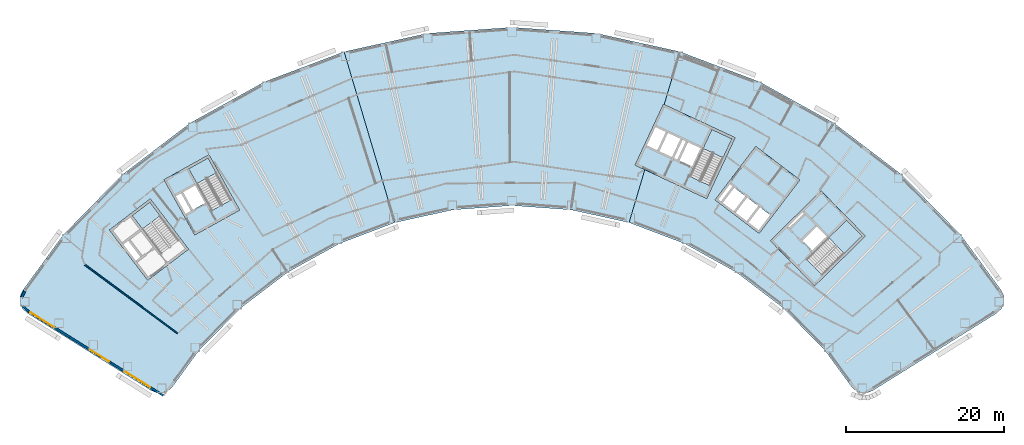
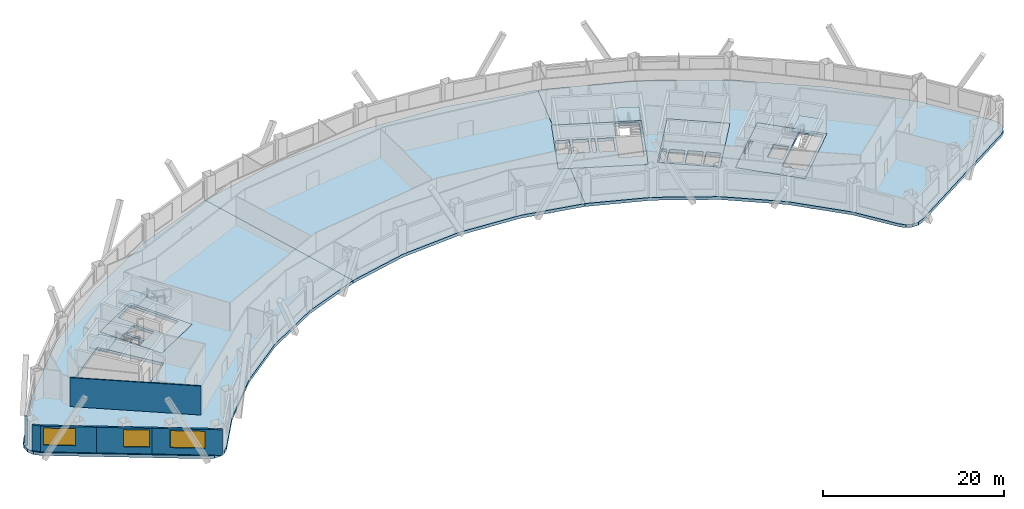
# One storey, part 2 of 11: 11 slabs, 6 walls, 3 windows, 3 openings, 4 elements without a shape of their own.
"""IFC4 building model written with IfcOpenShell, lengths in metres."""

from ifc_helpers import new_model, si_unit, direction, frame, frame_2d, origin, place, context, subcontext, project, spatial, polyline, rectangle, outline, extrude, material, layer, layer_set, type_object, element, fill, aggregate, save


model = new_model("IFC4")

# Units and contexts
model_context = context("Model", 3, precision=1e-05, world=origin(), true_north=direction((0.0, 1.0)))
body_context = subcontext(model_context, "Body", "Model", "MODEL_VIEW")
ifc_project = project(units=[si_unit("LENGTHUNIT", "METRE"), si_unit("AREAUNIT", "SQUARE_METRE"), si_unit("VOLUMEUNIT", "CUBIC_METRE"), si_unit("PLANEANGLEUNIT", "RADIAN"), si_unit("MASSUNIT", "GRAM", prefix="KILO")], contexts=[model_context])

# Site, building, storey
site_placement = place(None, origin())
site = spatial("IfcSite", under=ifc_project, at=site_placement, CompositionType="ELEMENT")
building_placement = place(site_placement, origin())
building = spatial("IfcBuilding", under=site, at=building_placement, Name="Tuul Gate Civic Tower", CompositionType="ELEMENT")
storey_placement = place(building_placement, frame((0.0, 0.0, 99.300048828125)))
storey = spatial("IfcBuildingStorey", under=building, at=storey_placement, Name="Level 22", CompositionType="ELEMENT", Elevation=99.300048828125)

# Slabs
ifc_material_1 = material(Name="Concrete C40/50", Category="concrete")
ifc_layer_1 = layer(ifc_material_1, 0.39990234375)
ifc_layer_set_1 = layer_set([ifc_layer_1], Name="Concrete C40/50")
slab_type_1 = type_object("IfcSlabType", Name="Core floor slab 400", PredefinedType="FLOOR", material=ifc_layer_set_1)
slab_1_placement = place(storey_placement, frame((0.0, 0.0, -0.400146484375)))
element("IfcSlab", 1, at=slab_1_placement, inside=storey, type_object=slab_type_1, Name="FLOOR SLAB", PredefinedType="FLOOR", context=body_context, shape_type="SweptSolid", body=[
    extrude(outline(polyline([(-24.638916015625, -8.846923828125), (-28.51708984375, -1.849853515625), (-34.2021484375, -5.0009765625), (-30.32421875, -11.998046875), (-24.638916015625, -8.846923828125)]), holes=[polyline([(-29.0185546875, -7.958740234375), (-30.254638671875, -5.728515625), (-31.785400390625, -6.576904296875), (-30.54931640625, -8.80712890625), (-29.0185546875, -7.958740234375)]), polyline([(-30.8115234375, -8.95263671875), (-32.047607421875, -6.72216796875), (-32.8349609375, -7.158447265625), (-31.5986328125, -9.388916015625), (-30.8115234375, -8.95263671875)]), polyline([(-25.702392578125, -7.548828125), (-28.14990234375, -8.905517578125), (-31.08203125, -3.615234375), (-28.63427734375, -2.2587890625), (-25.702392578125, -7.548828125)])]), origin(), (0.0, 0.0, 1.0), 0.400146484375),
])
slab_2_placement = place(storey_placement, frame((0.0, 0.0, -0.400146484375)))
element("IfcSlab", 2, at=slab_2_placement, inside=storey, type_object=slab_type_1, Name="FLOOR SLAB", PredefinedType="FLOOR", context=body_context, shape_type="SweptSolid", body=[
    extrude(outline(polyline([(48.117919921875, -18.43310546875), (54.545166015625, -12.1328125), (48.945068359375, -6.419921875), (42.517822265625, -12.719970703125), (48.117919921875, -18.43310546875)]), holes=[polyline([(47.808837890625, -13.974853515625), (49.6298828125, -12.18994140625), (48.40478515625, -10.940185546875), (46.583984375, -12.72509765625), (47.808837890625, -13.974853515625)]), polyline([(44.93896484375, -11.046875), (46.760009765625, -9.261962890625), (46.514892578125, -9.011962890625), (44.69384765625, -10.797119140625), (44.93896484375, -11.046875)]), polyline([(49.086181640625, -17.062744140625), (47.12744140625, -15.064208984375), (52.160888671875, -10.130126953125), (54.11962890625, -12.128662109375), (49.086181640625, -17.062744140625)])]), origin(), (0.0, 0.0, 1.0), 0.400146484375),
])
slab_3_placement = place(storey_placement, frame((0.0, 0.0, -0.400146484375)))
element("IfcSlab", 3, at=slab_3_placement, inside=storey, type_object=slab_type_1, Name="FLOOR SLAB", PredefinedType="FLOOR", context=body_context, shape_type="SweptSolid", body=[
    extrude(outline(polyline([(34.465087890625, -7.385986328125), (38.056884765625, 0.31787109375), (28.993896484375, 4.543701171875), (25.40185546875, -3.159912109375), (34.465087890625, -7.385986328125)]), holes=[polyline([(32.60888671875, -3.32080078125), (33.6865234375, -1.009765625), (32.1005859375, -0.27001953125), (31.02294921875, -2.581298828125), (32.60888671875, -3.32080078125)]), polyline([(30.0712890625, -2.137451171875), (31.14892578125, 0.173583984375), (29.562744140625, 0.9130859375), (28.4853515625, -1.39794921875), (30.0712890625, -2.137451171875)]), polyline([(30.751220703125, -2.454345703125), (31.82861328125, -0.143310546875), (31.4208984375, 0.046875), (30.34326171875, -2.264404296875), (30.751220703125, -2.454345703125)]), polyline([(28.21337890625, -1.27099609375), (29.291015625, 1.0400390625), (27.8408203125, 1.71630859375), (26.76318359375, -0.594970703125), (28.21337890625, -1.27099609375)]), polyline([(34.889892578125, -5.7626953125), (32.353759765625, -4.580078125), (35.120849609375, 1.354736328125), (37.6572265625, 0.17236328125), (34.889892578125, -5.7626953125)])]), origin(), (0.0, 0.0, 1.0), 0.400146484375),
])
ifc_material_2 = material(Name="Concrete C40/50", Category="concrete")
ifc_layer_2 = layer(ifc_material_2, 0.39990234375)
ifc_layer_set_2 = layer_set([ifc_layer_2], Name="Concrete C40/50")
slab_type_2 = type_object("IfcSlabType", Name="Core floor slab 400 non-bearing", PredefinedType="FLOOR", material=ifc_layer_set_2)
slab_4_placement = place(storey_placement, frame((0.0, 0.0, -0.400146484375)))
element("IfcSlab", 4, at=slab_4_placement, inside=storey, type_object=slab_type_2, Name="FLOOR SLAB", PredefinedType="FLOOR", context=body_context, shape_type="SweptSolid", body=[
    extrude(outline(polyline([(41.10107421875, -11.797119140625), (46.25, -5.033935546875), (40.680908203125, -0.79296875), (35.531982421875, -7.555908203125), (41.10107421875, -11.797119140625)]), holes=[polyline([(41.044189453125, -11.37646484375), (42.497802734375, -9.467041015625), (41.22509765625, -8.49755859375), (39.77099609375, -10.4072265625), (41.044189453125, -11.37646484375)]), polyline([(39.532470703125, -10.225341796875), (40.986328125, -8.31591796875), (39.593994140625, -7.255615234375), (38.14013671875, -9.165283203125), (39.532470703125, -10.225341796875)]), polyline([(37.901611328125, -8.9833984375), (39.35546875, -7.073974609375), (37.963134765625, -6.013671875), (36.50927734375, -7.923095703125), (37.901611328125, -8.9833984375)]), polyline([(36.1796875, -7.860595703125), (37.724609375, -5.831787109375), (37.286865234375, -5.49853515625), (35.7421875, -7.527587890625), (36.1796875, -7.860595703125)])]), origin(), (0.0, 0.0, 1.0), 0.400146484375),
])

# Stair, slab
ifc_material_3 = material(Name="Concrete C40/50", Category="concrete")
stair_type = type_object("IfcStairType", Name="Exit stair", PredefinedType="HALF_TURN_STAIR", material=ifc_material_3)
stair_1_placement = place(storey_placement, origin())
stair_1 = element("IfcStair", 5, at=stair_1_placement, inside=storey, type_object=stair_type, Name="Level 22 ST-1", PredefinedType="HALF_TURN_STAIR")
ifc_material_4 = material(Name="Concrete C40/50", Category="concrete")
ifc_layer_3 = layer(ifc_material_4, 0.199951171875)
ifc_layer_set_3 = layer_set([ifc_layer_3], Name="Concrete C40/50")
slab_type_3 = type_object("IfcSlabType", Name="Exit stair landing", PredefinedType="LANDING", material=ifc_layer_set_3)
slab_5_placement = place(storey_placement, frame((0.0, 0.0, 1.89990234375)))
slab_5 = element("IfcSlab", 6, at=slab_5_placement, type_object=slab_type_3, Name="ST-1 landing 1", PredefinedType="LANDING", context=body_context, shape_type="SweptSolid", body=[
    extrude(outline(polyline([(-34.699462890625, -9.554931640625), (-36.9287109375, -11.252197265625), (-38.23193359375, -9.540283203125), (-36.0029296875, -7.843017578125), (-34.699462890625, -9.554931640625)])), origin(), (0.0, 0.0, 1.0), 0.199951171875),
])
aggregate(stair_1, [slab_5])

stair_2_placement = place(storey_placement, origin())
stair_2 = element("IfcStair", 7, at=stair_2_placement, inside=storey, type_object=stair_type, Name="Level 22 ST-2", PredefinedType="HALF_TURN_STAIR")
slab_6_placement = place(storey_placement, frame((0.0, 0.0, 1.89990234375)))
slab_6 = element("IfcSlab", 8, at=slab_6_placement, type_object=slab_type_3, Name="ST-2 landing 1", PredefinedType="LANDING", context=body_context, shape_type="SweptSolid", body=[
    extrude(outline(polyline([(-27.5908203125, -4.138427734375), (-30.041015625, -5.49658203125), (-31.084228515625, -3.61474609375), (-28.6337890625, -2.256591796875), (-27.5908203125, -4.138427734375)])), origin(), (0.0, 0.0, 1.0), 0.199951171875),
])
aggregate(stair_2, [slab_6])

stair_3_placement = place(storey_placement, origin())
stair_3 = element("IfcStair", 9, at=stair_3_placement, inside=storey, type_object=stair_type, Name="Level 22 ST-3", PredefinedType="HALF_TURN_STAIR")
slab_7_placement = place(storey_placement, frame((0.0, 0.0, 1.89990234375)))
slab_7 = element("IfcSlab", 10, at=slab_7_placement, type_object=slab_type_3, Name="ST-3 landing 1", PredefinedType="LANDING", context=body_context, shape_type="SweptSolid", body=[
    extrude(outline(polyline([(51.871337890625, -14.3349609375), (49.91015625, -12.334228515625), (52.160888671875, -10.1279296875), (54.1220703125, -12.128662109375), (51.871337890625, -14.3349609375)])), origin(), (0.0, 0.0, 1.0), 0.199951171875),
])
aggregate(stair_3, [slab_7])

stair_4_placement = place(storey_placement, origin())
stair_4 = element("IfcStair", 11, at=stair_4_placement, inside=storey, type_object=stair_type, Name="Level 22 ST-4", PredefinedType="HALF_TURN_STAIR")
slab_8_placement = place(storey_placement, frame((0.0, 0.0, 1.89990234375)))
slab_8 = element("IfcSlab", 12, at=slab_8_placement, type_object=slab_type_3, Name="ST-4 landing 1", PredefinedType="LANDING", context=body_context, shape_type="SweptSolid", body=[
    extrude(outline(polyline([(36.538818359375, -2.230224609375), (33.999755859375, -1.046142578125), (35.1201171875, 1.35693359375), (37.659423828125, 0.173095703125), (36.538818359375, -2.230224609375)])), origin(), (0.0, 0.0, 1.0), 0.199951171875),
])
aggregate(stair_4, [slab_8])

# Slabs
ifc_material_5 = material(Name="Concrete C35/45", Category="concrete")
ifc_layer_4 = layer(ifc_material_5, 0.39990234375)
ifc_layer_set_4 = layer_set([ifc_layer_4], Name="Concrete C35/45")
slab_type_4 = type_object("IfcSlabType", Name="STR-FLOOR-SLAB-400", PredefinedType="FLOOR", material=ifc_layer_set_4)
slab_9_placement = place(storey_placement, frame((0.0, 0.0, -0.400146484375)))
element("IfcSlab", 13, at=slab_9_placement, inside=storey, type_object=slab_type_4, Name="Level 22/slab/W", PredefinedType="FLOOR", context=body_context, shape_type="SweptSolid", body=[
    extrude(outline(polyline([(-12.0048828125, -13.0830078125), (-4.985107421875, -10.427978515625), (-11.4189453125, 11.194091796875), (-21.488037109375, 7.385986328125), (-30.902099609375, 2.1669921875), (-39.467041015625, -4.35302734375), (-47.001953125, -12.0400390625), (-52.0830078125, -18.9970703125), (-52.4189453125, -19.739990234375), (-52.430908203125, -20.555908203125), (-52.116943359375, -21.30810546875), (-51.527099609375, -21.8720703125), (-35.797119140625, -31.701904296875), (-35.10302734375, -31.971923828125), (-34.35791015625, -31.968994140625), (-33.666015625, -31.694091796875), (-33.1220703125, -31.18505859375), (-29.79296875, -26.626953125), (-24.5400390625, -21.26806640625), (-18.569091796875, -16.720947265625), (-12.0048828125, -13.0830078125)]), holes=[polyline([(-31.10009765625, -13.7890625), (-36.27197265625, -17.72705078125), (-41.117919921875, -11.362060546875), (-35.946044921875, -7.424072265625), (-31.10009765625, -13.7890625)]), polyline([(-24.638916015625, -8.846923828125), (-30.323974609375, -11.998046875), (-34.201904296875, -5.0009765625), (-28.51708984375, -1.85009765625), (-24.638916015625, -8.846923828125)])]), origin(), (0.0, 0.0, 1.0), 0.400146484375),
])
slab_10_placement = place(storey_placement, frame((0.0, 0.0, -0.400146484375)))
element("IfcSlab", 14, at=slab_10_placement, inside=storey, type_object=slab_type_4, Name="Level 22/slab/M", PredefinedType="FLOOR", context=body_context, shape_type="SweptSolid", body=[
    extrude(outline(polyline([(24.64306640625, -10.427978515625), (26.635009765625, -3.735107421875), (25.402099609375, -3.159912109375), (28.993896484375, 4.5439453125), (29.0859375, 4.5009765625), (31.076904296875, 11.194091796875), (20.56494140625, 13.510009765625), (9.8291015625, 14.2880859375), (-0.906982421875, 13.510009765625), (-11.4189453125, 11.194091796875), (-4.985107421875, -10.427978515625), (2.343994140625, -8.81298828125), (9.8291015625, -8.27099609375), (17.31396484375, -8.81298828125), (24.64306640625, -10.427978515625)])), origin(), (0.0, 0.0, 1.0), 0.400146484375),
])
slab_11_placement = place(storey_placement, frame((0.0, 0.0, -0.400146484375)))
element("IfcSlab", 15, at=slab_11_placement, inside=storey, type_object=slab_type_4, Name="Level 22/slab/E", PredefinedType="FLOOR", context=body_context, shape_type="SweptSolid", body=[
    extrude(outline(polyline([(54.760986328125, -31.971923828125), (55.455078125, -31.701904296875), (71.18505859375, -21.8720703125), (71.77392578125, -21.30810546875), (72.089111328125, -20.555908203125), (72.076904296875, -19.739990234375), (71.739990234375, -18.9970703125), (66.659912109375, -12.0400390625), (59.1240234375, -4.35302734375), (50.56005859375, 2.1669921875), (41.14501953125, 7.385986328125), (31.076904296875, 11.194091796875), (29.0859375, 4.5009765625), (38.056884765625, 0.318115234375), (34.465087890625, -7.385986328125), (26.635009765625, -3.735107421875), (24.64306640625, -10.427978515625), (31.6630859375, -13.0830078125), (38.22607421875, -16.720947265625), (44.197021484375, -21.26806640625), (49.450927734375, -26.626953125), (52.780029296875, -31.18505859375), (53.323974609375, -31.694091796875), (54.01611328125, -31.968994140625), (54.760986328125, -31.971923828125)]), holes=[polyline([(48.117919921875, -18.43310546875), (42.51806640625, -12.719970703125), (48.945068359375, -6.419921875), (54.544921875, -12.133056640625), (48.117919921875, -18.43310546875)]), polyline([(35.531982421875, -7.555908203125), (40.680908203125, -0.79296875), (46.25, -5.033935546875), (41.10107421875, -11.797119140625), (35.531982421875, -7.555908203125)])]), origin(), (0.0, 0.0, 1.0), 0.400146484375),
])

# Walls
ifc_material_6 = material(Name="Gypsum board partition")
ifc_layer_5 = layer(ifc_material_6, 0.14990234375)
ifc_layer_set_5 = layer_set([ifc_layer_5], Name="Gypsum board partition")
wall_type_1 = type_object("IfcWallType", Name="Corridor wall P150", PredefinedType="PARTITIONING", material=ifc_layer_set_5)
wall_1_placement = place(storey_placement, frame((-44.2392578125, -15.7587890625, 0.0), z_axis=(0.0, 0.0, 1.0), x_axis=(0.804082742334, -0.59451740385, 0.0)))
element("IfcWall", 16, at=wall_1_placement, inside=storey, type_object=wall_type_1, Name="p023", PredefinedType="PARTITIONING", context=body_context, shape_type="SweptSolid", body=[
    extrude(rectangle(XDim=14.61474609375, YDim=0.14990234375, at=frame_2d((7.307373046875, 0.0))), origin(), (0.0, 0.0, 1.0), 3.89990234375),
])
ifc_material_7 = material(Name="Precast concrete C40/50", Category="concrete")
ifc_layer_6 = layer(ifc_material_7, 0.25)
ifc_layer_set_6 = layer_set([ifc_layer_6], Name="Precast concrete C40/50")
wall_type_2 = type_object("IfcWallType", Name="External wall", PredefinedType="STANDARD", material=ifc_layer_set_6)
wall_2_placement = place(storey_placement, frame((-51.84814453125, -19.136474609375, 0.0), z_axis=(0.0, 0.0, 1.0), x_axis=(-0.411894351911, -0.911231607696, 0.0)))
element("IfcWall", 17, at=wall_2_placement, inside=storey, type_object=wall_type_2, Name="External wall", PredefinedType="STANDARD", context=body_context, shape_type="SweptSolid", body=[
    extrude(rectangle(XDim=0.829345703125, YDim=0.25, at=frame_2d((0.41455078125, 0.0))), origin(), (0.0, 0.0, 1.0), 3.449951171875),
])
wall_3_placement = place(storey_placement, frame((-52.053466796875, -20.991943359375, 0.0), z_axis=(0.0, 0.0, 1.0), x_axis=(0.722104872767, -0.691783602527, 0.0)))
element("IfcWall", 18, at=wall_3_placement, inside=storey, type_object=wall_type_2, Name="External wall", PredefinedType="STANDARD", context=body_context, shape_type="SweptSolid", body=[
    extrude(rectangle(XDim=0.958251953125, YDim=0.25, at=frame_2d((0.47900390625, 0.0))), origin(), (0.0, 0.0, 1.0), 3.449951171875),
])

# Wall, opening, window
wall_4_placement = place(storey_placement, frame((-51.3818359375, -21.638916015625, 0.0), z_axis=(0.0, 0.0, 1.0), x_axis=(0.848053758074, -0.529910203164, 0.0)))
wall_4 = element("IfcWall", 19, at=wall_4_placement, inside=storey, type_object=wall_type_2, Name="External wall", PredefinedType="STANDARD", context=body_context, shape_type="SweptSolid", body=[
    extrude(rectangle(XDim=6.182861328125, YDim=0.25, at=frame_2d((3.09130859375, 0.0))), origin(), (0.0, 0.0, 1.0), 3.449951171875),
])
opening_1_placement = place(wall_4_placement, frame((0.322998046875, 0.0, 0.89990234375)))
opening_1 = element("IfcOpeningElement", 20, at=opening_1_placement, cuts=wall_4, Name="Opening W112", PredefinedType="OPENING", context=body_context, shape_type="SweptSolid", body=[
    extrude(rectangle(XDim=3.550048828125, YDim=2.300048828125, at=frame_2d((1.77490234375, 1.14990234375))), frame((0.0, 0.135009765625, 0.0), z_axis=(0.0, -1.0, 0.0), x_axis=(1.0, 0.0, 0.0)), (0.0, 0.0, 1.0), 0.27001953125),
])
ifc_material_8 = material(Name="Glass", Category="glass")
window_type_1 = type_object("IfcWindowType", Name="Window W112 3550 x 2300", PartitioningType="SINGLE_PANEL", PredefinedType="WINDOW", material=ifc_material_8)
window_1_placement = place(opening_1_placement, origin())
window_1 = element("IfcWindow", 21, at=window_1_placement, inside=storey, type_object=window_type_1, Name="Window", OverallHeight=2.300048828125, OverallWidth=3.550048828125, PartitioningType="SINGLE_PANEL", PredefinedType="WINDOW", context=body_context, shape_type="SweptSolid", body=[
    extrude(rectangle(XDim=3.550048828125, YDim=2.300048828125, at=frame_2d((1.77490234375, 1.14990234375))), frame((0.0, 0.030029296875, 0.0), z_axis=(0.0, -1.0, 0.0), x_axis=(1.0, 0.0, 0.0)), (0.0, 0.0, 1.0), 0.06005859375),
])
fill(opening_1, window_1)

wall_5_placement = place(storey_placement, frame((-46.138427734375, -24.915283203125, 0.0), z_axis=(0.0, 0.0, 1.0), x_axis=(0.848053758074, -0.529910203164, 0.0)))
wall_5 = element("IfcWall", 22, at=wall_5_placement, inside=storey, type_object=wall_type_2, Name="External wall", PredefinedType="STANDARD", context=body_context, shape_type="SweptSolid", body=[
    extrude(rectangle(XDim=6.182861328125, YDim=0.25, at=frame_2d((3.09130859375, 0.0))), origin(), (0.0, 0.0, 1.0), 3.449951171875),
])
opening_2_placement = place(wall_5_placement, frame((3.006103515625, 0.0, 0.89990234375)))
opening_2 = element("IfcOpeningElement", 23, at=opening_2_placement, cuts=wall_5, Name="Opening W68", PredefinedType="OPENING", context=body_context, shape_type="SweptSolid", body=[
    extrude(rectangle(XDim=2.85009765625, YDim=2.300048828125, at=frame_2d((1.425048828125, 1.14990234375))), frame((0.0, 0.135009765625, 0.0), z_axis=(0.0, -1.0, 0.0), x_axis=(1.0, 0.0, 0.0)), (0.0, 0.0, 1.0), 0.27001953125),
])
ifc_material_9 = material(Name="Glass", Category="glass")
window_type_2 = type_object("IfcWindowType", Name="Window 2850 x 2300", PartitioningType="SINGLE_PANEL", PredefinedType="WINDOW", material=ifc_material_9)
window_2_placement = place(opening_2_placement, origin())
window_2 = element("IfcWindow", 24, at=window_2_placement, inside=storey, type_object=window_type_2, Name="Window", OverallHeight=2.300048828125, OverallWidth=2.85009765625, PartitioningType="SINGLE_PANEL", PredefinedType="WINDOW", context=body_context, shape_type="SweptSolid", body=[
    extrude(rectangle(XDim=2.85009765625, YDim=2.300048828125, at=frame_2d((1.425048828125, 1.14990234375))), frame((0.0, 0.030029296875, 0.0), z_axis=(0.0, -1.0, 0.0), x_axis=(1.0, 0.0, 0.0)), (0.0, 0.0, 1.0), 0.06005859375),
])
fill(opening_2, window_2)

wall_6_placement = place(storey_placement, frame((-40.89501953125, -28.191650390625, 0.0), z_axis=(0.0, 0.0, 1.0), x_axis=(0.848044094411, -0.529925668311, 0.0)))
wall_6 = element("IfcWall", 25, at=wall_6_placement, inside=storey, type_object=wall_type_2, Name="External wall", PredefinedType="STANDARD", context=body_context, shape_type="SweptSolid", body=[
    extrude(rectangle(XDim=7.787353515625, YDim=0.25, at=frame_2d((3.8935546875, 0.0))), origin(), (0.0, 0.0, 1.0), 3.449951171875),
])
opening_3_placement = place(wall_6_placement, frame((1.9951171875, 0.0, 0.89990234375)))
opening_3 = element("IfcOpeningElement", 26, at=opening_3_placement, cuts=wall_6, Name="Opening W22", PredefinedType="OPENING", context=body_context, shape_type="SweptSolid", body=[
    extrude(rectangle(XDim=3.85009765625, YDim=2.300048828125, at=frame_2d((1.925048828125, 1.14990234375))), frame((0.0, 0.135009765625, 0.0), z_axis=(0.0, -1.0, 0.0), x_axis=(1.0, 0.0, 0.0)), (0.0, 0.0, 1.0), 0.27001953125),
])
ifc_material_10 = material(Name="Glass", Category="glass")
window_type_3 = type_object("IfcWindowType", Name="Window W22 3850 x 2300", PartitioningType="SINGLE_PANEL", PredefinedType="WINDOW", material=ifc_material_10)
window_3_placement = place(opening_3_placement, origin())
window_3 = element("IfcWindow", 27, at=window_3_placement, inside=storey, type_object=window_type_3, Name="Window", OverallHeight=2.300048828125, OverallWidth=3.85009765625, PartitioningType="SINGLE_PANEL", PredefinedType="WINDOW", context=body_context, shape_type="SweptSolid", body=[
    extrude(rectangle(XDim=3.85009765625, YDim=2.300048828125, at=frame_2d((1.925048828125, 1.14990234375))), frame((0.0, 0.030029296875, 0.0), z_axis=(0.0, -1.0, 0.0), x_axis=(1.0, 0.0, 0.0)), (0.0, 0.0, 1.0), 0.06005859375),
])
fill(opening_3, window_3)

save(model, "model.ifc")
